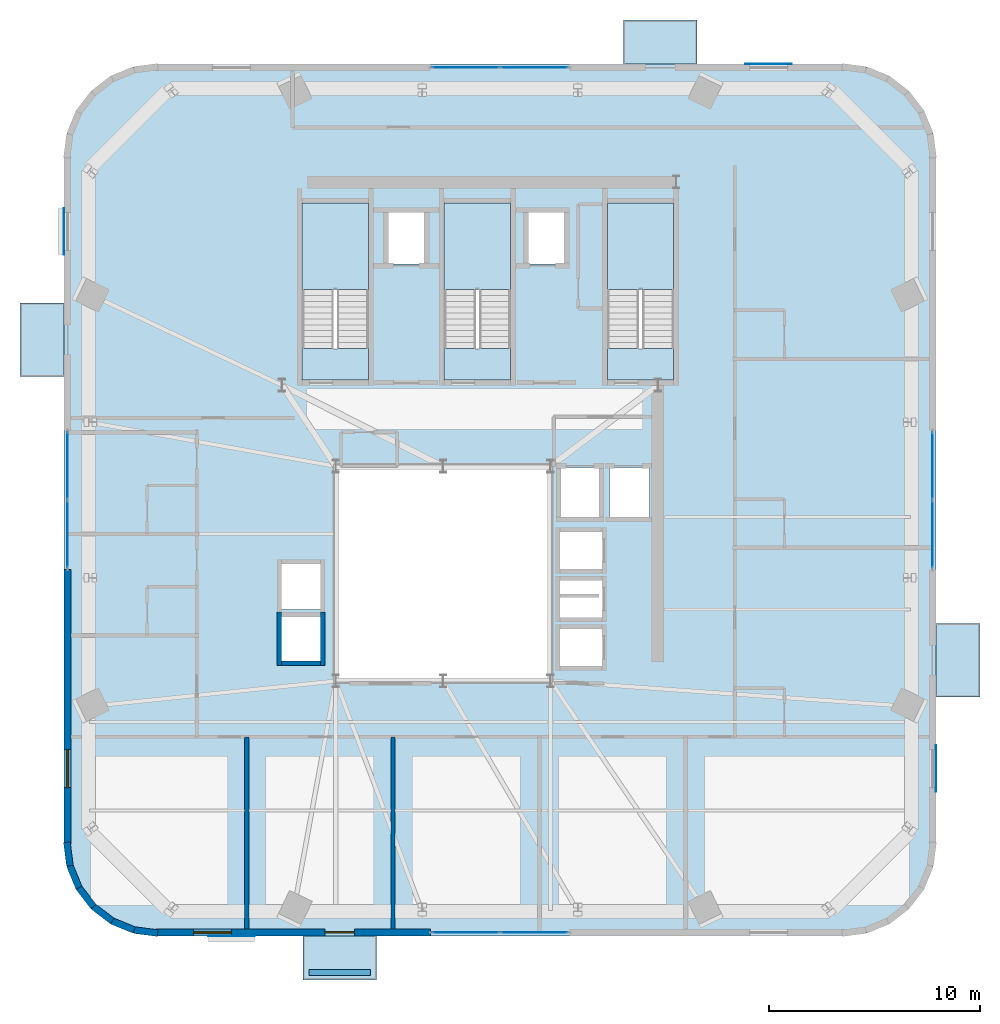
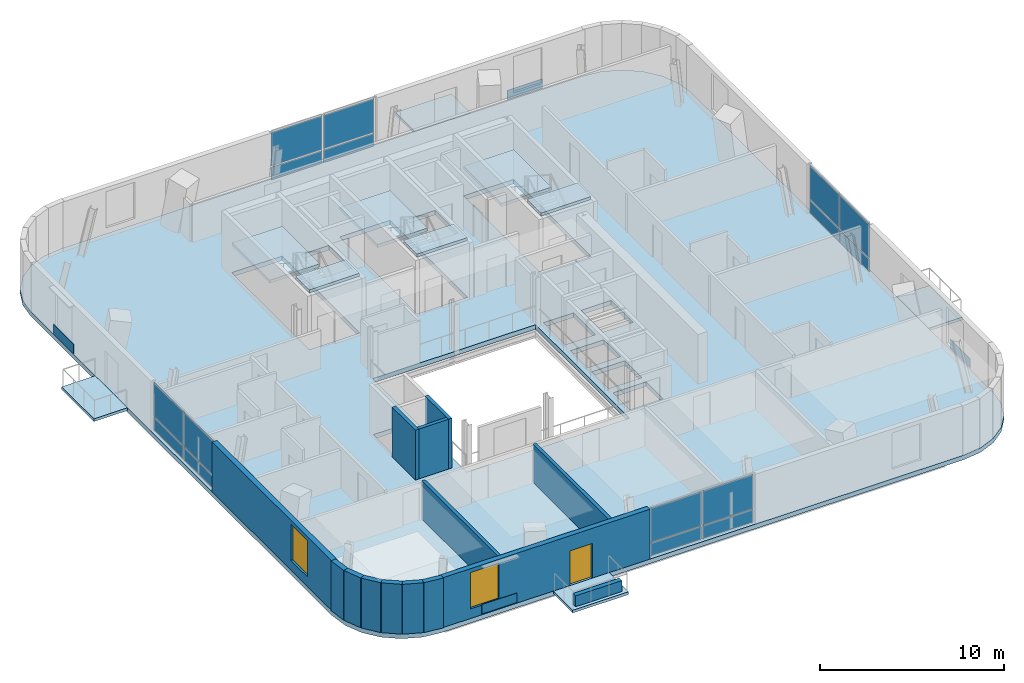
# One storey, part 5 of 13: 20 plates, 14 walls, 11 slabs, 2 windows, 1 door, 3 openings, 7 elements without a shape of their own.
"""IFC4 building model written with IfcOpenShell, lengths in metres."""

from ifc_helpers import new_model, si_unit, direction, frame, frame_2d, origin, origin_2d, place, context, subcontext, project, spatial, polyline, rectangle, outline, extrude, source, transform, mapped, material, layer, layer_set, type_object, element, fill, aggregate, save


model = new_model("IFC4")

# Units and contexts
model_context = context("Model", 3, precision=1e-05, world=origin(), true_north=direction((0.0, 1.0)))
body_context = subcontext(model_context, "Body", "Model", "MODEL_VIEW")
ifc_project = project(units=[si_unit("LENGTHUNIT", "METRE"), si_unit("AREAUNIT", "SQUARE_METRE"), si_unit("VOLUMEUNIT", "CUBIC_METRE"), si_unit("PLANEANGLEUNIT", "RADIAN"), si_unit("MASSUNIT", "GRAM", prefix="KILO")], contexts=[model_context])

# Site, building, storey
site_placement = place(None, origin())
site = spatial("IfcSite", under=ifc_project, at=site_placement, CompositionType="ELEMENT")
building_placement = place(site_placement, origin())
building = spatial("IfcBuilding", under=site, at=building_placement, Name="Vardaveli Station Tower", CompositionType="ELEMENT")
storey_placement = place(building_placement, frame((0.0, 0.0, 274.300048828125)))
storey = spatial("IfcBuildingStorey", under=building, at=storey_placement, Name="L70", CompositionType="ELEMENT", Elevation=274.300048828125)

# Stair, slabs
ifc_material_1 = material(Name="Concrete C40/50", Category="concrete")
stair_type = type_object("IfcStairType", Name="STR-CORE-1500", PredefinedType="HALF_TURN_STAIR", material=ifc_material_1)
stair_1_placement = place(storey_placement, origin())
stair_1 = element("IfcStair", 1, at=stair_1_placement, inside=storey, type_object=stair_type, Name="L70 ST-1", PredefinedType="HALF_TURN_STAIR")
ifc_layer_1 = layer(ifc_material_1, 0.199951171875, Name="Concrete C40/50")
ifc_layer_set_1 = layer_set([ifc_layer_1], Name="Concrete C40/50")
slab_type_1 = type_object("IfcSlabType", Name="SLB-LAND-200", PredefinedType="LANDING", material=ifc_layer_set_1)
slab_1_placement = place(storey_placement, frame((0.0, 0.0, 1.77490234375)))
slab_1 = element("IfcSlab", 2, at=slab_1_placement, type_object=slab_type_1, Name="ST-1 landing 1", PredefinedType="LANDING", context=body_context, shape_type="SweptSolid", body=[
    extrude(outline(polyline([(32.75, 35.199951171875), (32.75, 39.300048828125), (29.60009765625, 39.300048828125), (29.60009765625, 35.199951171875), (32.75, 35.199951171875)])), origin(), (0.0, 0.0, 1.0), 0.199951171875),
])
slab_2_placement = place(storey_placement, frame((0.0, 0.0, 3.75)))
slab_2 = element("IfcSlab", 3, at=slab_2_placement, type_object=slab_type_1, Name="ST-1 landing 2", PredefinedType="LANDING", context=body_context, shape_type="SweptSolid", body=[
    extrude(outline(polyline([(32.75, 30.89990234375), (32.75, 32.39990234375), (29.60009765625, 32.39990234375), (29.60009765625, 30.89990234375), (32.75, 30.89990234375)])), origin(), (0.0, 0.0, 1.0), 0.199951171875),
])
aggregate(stair_1, [slab_1, slab_2])

stair_2_placement = place(storey_placement, origin())
stair_2 = element("IfcStair", 4, at=stair_2_placement, inside=storey, type_object=stair_type, Name="L70 ST-2", PredefinedType="HALF_TURN_STAIR")
slab_3_placement = place(storey_placement, frame((0.0, 0.0, 1.77490234375)))
slab_3 = element("IfcSlab", 5, at=slab_3_placement, type_object=slab_type_1, Name="ST-2 landing 1", PredefinedType="LANDING", context=body_context, shape_type="SweptSolid", body=[
    extrude(outline(polyline([(39.5, 35.199951171875), (39.5, 39.300048828125), (36.35009765625, 39.300048828125), (36.35009765625, 35.199951171875), (39.5, 35.199951171875)])), origin(), (0.0, 0.0, 1.0), 0.199951171875),
])
slab_4_placement = place(storey_placement, frame((0.0, 0.0, 3.75)))
slab_4 = element("IfcSlab", 6, at=slab_4_placement, type_object=slab_type_1, Name="ST-2 landing 2", PredefinedType="LANDING", context=body_context, shape_type="SweptSolid", body=[
    extrude(outline(polyline([(39.5, 30.89990234375), (39.5, 32.39990234375), (36.35009765625, 32.39990234375), (36.35009765625, 30.89990234375), (39.5, 30.89990234375)])), origin(), (0.0, 0.0, 1.0), 0.199951171875),
])
aggregate(stair_2, [slab_3, slab_4])

stair_3_placement = place(storey_placement, origin())
stair_3 = element("IfcStair", 7, at=stair_3_placement, inside=storey, type_object=stair_type, Name="L70 ST-3", PredefinedType="HALF_TURN_STAIR")
slab_5_placement = place(storey_placement, frame((0.0, 0.0, 1.77490234375)))
slab_5 = element("IfcSlab", 8, at=slab_5_placement, type_object=slab_type_1, Name="ST-3 landing 1", PredefinedType="LANDING", context=body_context, shape_type="SweptSolid", body=[
    extrude(outline(polyline([(47.25, 35.199951171875), (47.25, 39.300048828125), (44.10009765625, 39.300048828125), (44.10009765625, 35.199951171875), (47.25, 35.199951171875)])), origin(), (0.0, 0.0, 1.0), 0.199951171875),
])
slab_6_placement = place(storey_placement, frame((0.0, 0.0, 3.75)))
slab_6 = element("IfcSlab", 9, at=slab_6_placement, type_object=slab_type_1, Name="ST-3 landing 2", PredefinedType="LANDING", context=body_context, shape_type="SweptSolid", body=[
    extrude(outline(polyline([(47.25, 30.89990234375), (47.25, 32.39990234375), (44.10009765625, 32.39990234375), (44.10009765625, 30.89990234375), (47.25, 30.89990234375)])), origin(), (0.0, 0.0, 1.0), 0.199951171875),
])
aggregate(stair_3, [slab_5, slab_6])

# Slabs
ifc_material_2 = material(Name="Precast concrete C45/55", Category="concrete")
ifc_layer_2 = layer(ifc_material_2, 0.179931640625, Name="Precast concrete C45/55")
ifc_layer_set_2 = layer_set([ifc_layer_2], Name="Precast concrete C45/55")
slab_type_2 = type_object("IfcSlabType", Name="SLB-LOGGIA-180", PredefinedType="FLOOR", material=ifc_layer_set_2)
slab_7_placement = place(storey_placement, frame((0.0, 0.0, -0.179931640625)))
element("IfcSlab", 10, at=slab_7_placement, inside=storey, type_object=slab_type_2, Name="LOG-L70-S", PredefinedType="FLOOR", context=body_context, shape_type="SweptSolid", body=[
    extrude(outline(polyline([(29.638427734375, 2.39990234375), (33.138427734375, 2.39990234375), (33.138427734375, 4.5), (29.638427734375, 4.5), (29.638427734375, 2.39990234375)])), origin(), (0.0, 0.0, 1.0), 0.179931640625),
])
slab_8_placement = place(storey_placement, frame((0.0, 0.0, -0.179931640625)))
element("IfcSlab", 11, at=slab_8_placement, inside=storey, type_object=slab_type_2, Name="LOG-L70-N", PredefinedType="FLOOR", context=body_context, shape_type="SweptSolid", body=[
    extrude(outline(polyline([(44.861572265625, 45.89990234375), (48.361572265625, 45.89990234375), (48.361572265625, 48.0), (44.861572265625, 48.0), (44.861572265625, 45.89990234375)])), origin(), (0.0, 0.0, 1.0), 0.179931640625),
])
slab_9_placement = place(storey_placement, frame((0.0, 0.0, -0.179931640625)))
element("IfcSlab", 12, at=slab_9_placement, inside=storey, type_object=slab_type_2, Name="LOG-L70-W", PredefinedType="FLOOR", context=body_context, shape_type="SweptSolid", body=[
    extrude(outline(polyline([(16.199951171875, 31.0615234375), (18.300048828125, 31.0615234375), (18.300048828125, 34.5615234375), (16.199951171875, 34.5615234375), (16.199951171875, 31.0615234375)])), origin(), (0.0, 0.0, 1.0), 0.179931640625),
])
slab_10_placement = place(storey_placement, frame((0.0, 0.0, -0.179931640625)))
element("IfcSlab", 13, at=slab_10_placement, inside=storey, type_object=slab_type_2, Name="LOG-L70-E", PredefinedType="FLOOR", context=body_context, shape_type="SweptSolid", body=[
    extrude(outline(polyline([(59.699951171875, 15.83837890625), (61.800048828125, 15.83837890625), (61.800048828125, 19.33837890625), (59.699951171875, 19.33837890625), (59.699951171875, 15.83837890625)])), origin(), (0.0, 0.0, 1.0), 0.179931640625),
])
ifc_material_3 = material(Name="Concrete C50/60", Category="concrete")
ifc_layer_3 = layer(ifc_material_3, 0.300048828125, Name="Concrete C50/60")
ifc_layer_set_3 = layer_set([ifc_layer_3], Name="Concrete C50/60")
slab_type_3 = type_object("IfcSlabType", Name="SLB-REF-300", PredefinedType="FLOOR", material=ifc_layer_set_3)
slab_11_placement = place(storey_placement, frame((0.0, 0.0, -0.300048828125)))
element("IfcSlab", 14, at=slab_11_placement, inside=storey, type_object=slab_type_3, Name="SLB-L70-MAIN", PredefinedType="FLOOR", context=body_context, shape_type="SweptSolid", body=[
    extrude(outline(polyline([(18.300048828125, 8.846923828125), (18.447998046875, 7.721923828125), (18.88232421875, 6.673583984375), (19.5732421875, 5.773193359375), (20.473388671875, 5.082275390625), (21.52197265625, 4.648193359375), (22.64697265625, 4.5), (55.35302734375, 4.5), (56.47802734375, 4.648193359375), (57.526611328125, 5.082275390625), (58.4267578125, 5.773193359375), (59.11767578125, 6.673583984375), (59.552001953125, 7.721923828125), (59.699951171875, 8.846923828125), (59.699951171875, 41.552978515625), (59.552001953125, 42.677978515625), (59.11767578125, 43.7265625), (58.4267578125, 44.626708984375), (57.526611328125, 45.317626953125), (56.47802734375, 45.751953125), (55.35302734375, 45.89990234375), (22.64697265625, 45.89990234375), (21.52197265625, 45.751953125), (20.473388671875, 45.317626953125), (19.5732421875, 44.626708984375), (18.88232421875, 43.7265625), (18.447998046875, 42.677978515625), (18.300048828125, 41.552978515625), (18.300048828125, 8.846923828125)]), holes=[polyline([(31.199951171875, 16.60009765625), (41.39990234375, 16.60009765625), (41.39990234375, 26.800048828125), (31.199951171875, 26.800048828125), (31.199951171875, 16.60009765625)]), polyline([(32.75, 30.89990234375), (32.75, 39.300048828125), (29.60009765625, 39.300048828125), (29.60009765625, 30.89990234375), (32.75, 30.89990234375)]), polyline([(39.5, 30.89990234375), (39.5, 39.300048828125), (36.35009765625, 39.300048828125), (36.35009765625, 30.89990234375), (39.5, 30.89990234375)]), polyline([(47.25, 30.89990234375), (47.25, 39.300048828125), (44.10009765625, 39.300048828125), (44.10009765625, 30.89990234375), (47.25, 30.89990234375)]), polyline([(33.659912109375, 36.409912109375), (35.43994140625, 36.409912109375), (35.43994140625, 38.889892578125), (33.659912109375, 38.889892578125), (33.659912109375, 36.409912109375)]), polyline([(40.31005859375, 36.409912109375), (42.090087890625, 36.409912109375), (42.090087890625, 38.889892578125), (40.31005859375, 38.889892578125), (40.31005859375, 36.409912109375)]), polyline([(41.81005859375, 21.885009765625), (43.889892578125, 21.885009765625), (43.889892578125, 23.715087890625), (41.81005859375, 23.715087890625), (41.81005859375, 21.885009765625)]), polyline([(41.81005859375, 19.5849609375), (43.889892578125, 19.5849609375), (43.889892578125, 21.4150390625), (41.81005859375, 21.4150390625), (41.81005859375, 19.5849609375)]), polyline([(41.81005859375, 17.284912109375), (43.889892578125, 17.284912109375), (43.889892578125, 19.114990234375), (41.81005859375, 19.114990234375), (41.81005859375, 17.284912109375)]), polyline([(28.5849609375, 17.510009765625), (30.514892578125, 17.510009765625), (30.514892578125, 19.68994140625), (28.5849609375, 19.68994140625), (28.5849609375, 17.510009765625)]), polyline([(28.5849609375, 20.010009765625), (30.514892578125, 20.010009765625), (30.514892578125, 22.18994140625), (28.5849609375, 22.18994140625), (28.5849609375, 20.010009765625)]), polyline([(41.860107421875, 24.360107421875), (43.739990234375, 24.360107421875), (43.739990234375, 26.739990234375), (41.860107421875, 26.739990234375), (41.860107421875, 24.360107421875)]), polyline([(44.2099609375, 24.360107421875), (46.090087890625, 24.360107421875), (46.090087890625, 26.739990234375), (44.2099609375, 26.739990234375), (44.2099609375, 24.360107421875)])]), origin(), (0.0, 0.0, 1.0), 0.300048828125),
])

# Plates
ifc_material_4 = material(Name="Honed Caucasian travertine stone", Category="masonry")
ifc_layer_4 = layer(ifc_material_4, 0.034912109375, Name="Honed Caucasian travertine stone")
ifc_layer_set_4 = layer_set([ifc_layer_4], Name="Honed Caucasian travertine stone")
plate_type_1 = type_object("IfcPlateType", Name="PLT-TRAV-35", PredefinedType="SHEET", material=ifc_layer_set_4)
shared_shape_1 = source(origin(), body_context, "Body", "SweptSolid", [
    extrude(rectangle(XDim=2.199951171875, YDim=0.034912109375, at=origin_2d()), origin(), (0.0, 0.0, 1.0), 0.6201171875),
])
for number, where, z_axis, x_axis, name in (
    (15, (26.24267578125, 4.490478515625, 0.06982421875), (0.0, 0.0, 1.0), (1.0, 0.0, 0.0), "PLT-TR-L70-S"),
    (16, (51.75732421875, 45.909423828125, 0.06982421875), (0.0, 0.0, 1.0), (1.0, 0.0, 0.0), "PLT-TR-L70-N"),
    (17, (18.29052734375, 37.95751953125, 0.06982421875), (0.0, 0.0, 1.0), (0.0, 1.0, 0.0), "PLT-TR-L70-W"),
    (18, (59.70947265625, 12.442626953125, 0.06982421875), (0.0, 0.0, 1.0), (0.0, 1.0, 0.0), "PLT-TR-L70-E"),
):
    element("IfcPlate", number, at=place(storey_placement, frame(where, z_axis=z_axis, x_axis=x_axis)), inside=storey, type_object=plate_type_1, Name=name, PredefinedType="SHEET", context=body_context, shape_type="MappedRepresentation", body=[
        mapped(shared_shape_1, transform((0.0, 0.0, 0.0), scale=1.0)),
    ])

# Curtain wall, plates
ifc_material_5 = material(Name="Travertine stone and solar-control glass", Category="masonry")
curtain_wall_type = type_object("IfcCurtainWallType", Name="CW-SYS-5", PredefinedType="NOTDEFINED", material=ifc_material_5)
curtain_wall_1_placement = place(storey_placement, origin())
curtain_wall_1 = element("IfcCurtainWall", 19, at=curtain_wall_1_placement, inside=storey, type_object=curtain_wall_type, Name="CW-L70-S", PredefinedType="NOTDEFINED")
ifc_material_6 = material(Name="Double-glazed low-E solar-control glass", Category="glass")
ifc_layer_5 = layer(ifc_material_6, 0.031982421875, Name="Double-glazed low-E solar-control glass")
ifc_layer_set_5 = layer_set([ifc_layer_5], Name="Double-glazed low-E solar-control glass")
plate_type_2 = type_object("IfcPlateType", Name="CW-SYS-5-PAN", PredefinedType="CURTAIN_PANEL", material=ifc_layer_set_5)
shared_shape_2 = source(origin(), body_context, "Body", "SweptSolid", [
    extrude(rectangle(XDim=3.179931640625, YDim=0.031982421875, at=origin_2d()), origin(), (0.0, 0.0, 1.0), 0.830078125),
])
plate_1_placement = place(storey_placement, frame((37.3701171875, 4.659912109375, 0.079833984375), z_axis=(0.0, 0.0, 1.0), x_axis=(1.0, 0.0, 0.0)))
plate_1 = element("IfcPlate", 20, at=plate_1_placement, type_object=plate_type_2, Name="CW-5 panel 1.1", PredefinedType="CURTAIN_PANEL", context=body_context, shape_type="MappedRepresentation", body=[
    mapped(shared_shape_2, transform((0.0, 0.0, 0.0), scale=1.0)),
])
plate_2_placement = place(storey_placement, frame((40.6298828125, 4.659912109375, 0.079833984375), z_axis=(0.0, 0.0, 1.0), x_axis=(1.0, 0.0, 0.0)))
plate_2 = element("IfcPlate", 21, at=plate_2_placement, type_object=plate_type_2, Name="CW-5 panel 2.1", PredefinedType="CURTAIN_PANEL", context=body_context, shape_type="MappedRepresentation", body=[
    mapped(shared_shape_2, transform((0.0, 0.0, 0.0), scale=1.0)),
])

curtain_wall_2_placement = place(storey_placement, origin())
curtain_wall_2 = element("IfcCurtainWall", 22, at=curtain_wall_2_placement, inside=storey, type_object=curtain_wall_type, Name="CW-L70-N", PredefinedType="NOTDEFINED")
plate_3_placement = place(storey_placement, frame((40.6298828125, 45.739990234375, 0.079833984375), z_axis=(0.0, 0.0, 1.0), x_axis=(-1.0, 0.0, 0.0)))
plate_3 = element("IfcPlate", 23, at=plate_3_placement, type_object=plate_type_2, Name="CW-5 panel 1.1", PredefinedType="CURTAIN_PANEL", context=body_context, shape_type="MappedRepresentation", body=[
    mapped(shared_shape_2, transform((0.0, 0.0, 0.0), scale=1.0)),
])
plate_4_placement = place(storey_placement, frame((37.3701171875, 45.739990234375, 0.079833984375), z_axis=(0.0, 0.0, 1.0), x_axis=(-1.0, 0.0, 0.0)))
plate_4 = element("IfcPlate", 24, at=plate_4_placement, type_object=plate_type_2, Name="CW-5 panel 2.1", PredefinedType="CURTAIN_PANEL", context=body_context, shape_type="MappedRepresentation", body=[
    mapped(shared_shape_2, transform((0.0, 0.0, 0.0), scale=1.0)),
])

curtain_wall_3_placement = place(storey_placement, origin())
curtain_wall_3 = element("IfcCurtainWall", 25, at=curtain_wall_3_placement, inside=storey, type_object=curtain_wall_type, Name="CW-L70-W", PredefinedType="NOTDEFINED")
plate_5_placement = place(storey_placement, frame((18.4599609375, 26.830078125, 0.079833984375), z_axis=(0.0, 0.0, 1.0), x_axis=(0.0, -1.0, 0.0)))
plate_5 = element("IfcPlate", 26, at=plate_5_placement, type_object=plate_type_2, Name="CW-5 panel 1.1", PredefinedType="CURTAIN_PANEL", context=body_context, shape_type="MappedRepresentation", body=[
    mapped(shared_shape_2, transform((0.0, 0.0, 0.0), scale=1.0)),
])
plate_6_placement = place(storey_placement, frame((18.4599609375, 23.570068359375, 0.079833984375), z_axis=(0.0, 0.0, 1.0), x_axis=(0.0, -1.0, 0.0)))
plate_6 = element("IfcPlate", 27, at=plate_6_placement, type_object=plate_type_2, Name="CW-5 panel 2.1", PredefinedType="CURTAIN_PANEL", context=body_context, shape_type="MappedRepresentation", body=[
    mapped(shared_shape_2, transform((0.0, 0.0, 0.0), scale=1.0)),
])

curtain_wall_4_placement = place(storey_placement, origin())
curtain_wall_4 = element("IfcCurtainWall", 28, at=curtain_wall_4_placement, inside=storey, type_object=curtain_wall_type, Name="CW-L70-E", PredefinedType="NOTDEFINED")
plate_7_placement = place(storey_placement, frame((59.5400390625, 23.570068359375, 0.079833984375), z_axis=(0.0, 0.0, 1.0), x_axis=(0.0, 1.0, 0.0)))
plate_7 = element("IfcPlate", 29, at=plate_7_placement, type_object=plate_type_2, Name="CW-5 panel 1.1", PredefinedType="CURTAIN_PANEL", context=body_context, shape_type="MappedRepresentation", body=[
    mapped(shared_shape_2, transform((0.0, 0.0, 0.0), scale=1.0)),
])
plate_8_placement = place(storey_placement, frame((59.5400390625, 26.830078125, 0.079833984375), z_axis=(0.0, 0.0, 1.0), x_axis=(0.0, 1.0, 0.0)))
plate_8 = element("IfcPlate", 30, at=plate_8_placement, type_object=plate_type_2, Name="CW-5 panel 2.1", PredefinedType="CURTAIN_PANEL", context=body_context, shape_type="MappedRepresentation", body=[
    mapped(shared_shape_2, transform((0.0, 0.0, 0.0), scale=1.0)),
])

# Plate
shared_shape_3 = source(origin(), body_context, "Body", "SweptSolid", [
    extrude(rectangle(XDim=3.179931640625, YDim=0.031982421875, at=origin_2d()), origin(), (0.0, 0.0, 1.0), 2.22998046875),
])
plate_9_placement = place(storey_placement, frame((37.3701171875, 4.659912109375, 0.989990234375), z_axis=(0.0, 0.0, 1.0), x_axis=(1.0, 0.0, 0.0)))
plate_9 = element("IfcPlate", 31, at=plate_9_placement, type_object=plate_type_2, Name="CW-5 panel 1.2", PredefinedType="CURTAIN_PANEL", context=body_context, shape_type="MappedRepresentation", body=[
    mapped(shared_shape_3, transform((0.0, 0.0, 0.0), scale=1.0)),
])

plate_10_placement = place(storey_placement, frame((40.6298828125, 4.659912109375, 0.989990234375), z_axis=(0.0, 0.0, 1.0), x_axis=(1.0, 0.0, 0.0)))
plate_10 = element("IfcPlate", 32, at=plate_10_placement, type_object=plate_type_2, Name="CW-5 panel 2.2", PredefinedType="CURTAIN_PANEL", context=body_context, shape_type="MappedRepresentation", body=[
    mapped(shared_shape_3, transform((0.0, 0.0, 0.0), scale=1.0)),
])

aggregate(curtain_wall_1, [plate_1, plate_9, plate_2, plate_10])

plate_11_placement = place(storey_placement, frame((40.6298828125, 45.739990234375, 0.989990234375), z_axis=(0.0, 0.0, 1.0), x_axis=(-1.0, 0.0, 0.0)))
plate_11 = element("IfcPlate", 33, at=plate_11_placement, type_object=plate_type_2, Name="CW-5 panel 1.2", PredefinedType="CURTAIN_PANEL", context=body_context, shape_type="MappedRepresentation", body=[
    mapped(shared_shape_3, transform((0.0, 0.0, 0.0), scale=1.0)),
])

plate_12_placement = place(storey_placement, frame((37.3701171875, 45.739990234375, 0.989990234375), z_axis=(0.0, 0.0, 1.0), x_axis=(-1.0, 0.0, 0.0)))
plate_12 = element("IfcPlate", 34, at=plate_12_placement, type_object=plate_type_2, Name="CW-5 panel 2.2", PredefinedType="CURTAIN_PANEL", context=body_context, shape_type="MappedRepresentation", body=[
    mapped(shared_shape_3, transform((0.0, 0.0, 0.0), scale=1.0)),
])

aggregate(curtain_wall_2, [plate_3, plate_11, plate_4, plate_12])

plate_13_placement = place(storey_placement, frame((18.4599609375, 26.830078125, 0.989990234375), z_axis=(0.0, 0.0, 1.0), x_axis=(0.0, -1.0, 0.0)))
plate_13 = element("IfcPlate", 35, at=plate_13_placement, type_object=plate_type_2, Name="CW-5 panel 1.2", PredefinedType="CURTAIN_PANEL", context=body_context, shape_type="MappedRepresentation", body=[
    mapped(shared_shape_3, transform((0.0, 0.0, 0.0), scale=1.0)),
])

plate_14_placement = place(storey_placement, frame((18.4599609375, 23.570068359375, 0.989990234375), z_axis=(0.0, 0.0, 1.0), x_axis=(0.0, -1.0, 0.0)))
plate_14 = element("IfcPlate", 36, at=plate_14_placement, type_object=plate_type_2, Name="CW-5 panel 2.2", PredefinedType="CURTAIN_PANEL", context=body_context, shape_type="MappedRepresentation", body=[
    mapped(shared_shape_3, transform((0.0, 0.0, 0.0), scale=1.0)),
])

aggregate(curtain_wall_3, [plate_5, plate_13, plate_6, plate_14])

plate_15_placement = place(storey_placement, frame((59.5400390625, 23.570068359375, 0.989990234375), z_axis=(0.0, 0.0, 1.0), x_axis=(0.0, 1.0, 0.0)))
plate_15 = element("IfcPlate", 37, at=plate_15_placement, type_object=plate_type_2, Name="CW-5 panel 1.2", PredefinedType="CURTAIN_PANEL", context=body_context, shape_type="MappedRepresentation", body=[
    mapped(shared_shape_3, transform((0.0, 0.0, 0.0), scale=1.0)),
])

plate_16_placement = place(storey_placement, frame((59.5400390625, 26.830078125, 0.989990234375), z_axis=(0.0, 0.0, 1.0), x_axis=(0.0, 1.0, 0.0)))
plate_16 = element("IfcPlate", 38, at=plate_16_placement, type_object=plate_type_2, Name="CW-5 panel 2.2", PredefinedType="CURTAIN_PANEL", context=body_context, shape_type="MappedRepresentation", body=[
    mapped(shared_shape_3, transform((0.0, 0.0, 0.0), scale=1.0)),
])

aggregate(curtain_wall_4, [plate_7, plate_15, plate_8, plate_16])

# Wall
ifc_layer_6 = layer(ifc_material_2, 0.280029296875, Name="Precast concrete C45/55")
ifc_layer_set_6 = layer_set([ifc_layer_6], Name="Precast concrete C45/55")
wall_type_1 = type_object("IfcWallType", Name="WAL-PARAPET-280", PredefinedType="SOLIDWALL", material=ifc_layer_set_6)
shared_shape_4 = source(origin(), body_context, "Body", "SweptSolid", [
    extrude(rectangle(XDim=2.89990234375, YDim=0.280029296875, at=frame_2d((1.449951171875, 0.0))), origin(), (0.0, 0.0, 1.0), 0.719970703125),
])
wall_1_placement = place(storey_placement, frame((29.9384765625, 2.75, 0.0), z_axis=(0.0, 0.0, 1.0), x_axis=(1.0, 0.0, 0.0)))
element("IfcWall", 39, at=wall_1_placement, inside=storey, type_object=wall_type_1, Name="Terrace Travertine Planter L70", PredefinedType="SOLIDWALL", context=body_context, shape_type="MappedRepresentation", body=[
    mapped(shared_shape_4, transform((0.0, 0.0, 0.0), scale=1.0)),
])

# Wall, openings, door, window
ifc_layer_7 = layer(ifc_material_2, 0.320068359375, Name="Precast concrete C45/55")
ifc_layer_set_7 = layer_set([ifc_layer_7], Name="Precast concrete C45/55")
wall_type_2 = type_object("IfcWallType", Name="WAL-EXT-STONE-320", PredefinedType="SOLIDWALL", material=ifc_layer_set_7)
shared_shape_5 = source(origin(), body_context, "Body", "SweptSolid", [
    extrude(rectangle(XDim=13.052978515625, YDim=0.320068359375, at=frame_2d((6.5263671875, 0.0))), origin(), (0.0, 0.0, 1.0), 3.300048828125),
])
wall_2_placement = place(storey_placement, frame((22.64697265625, 4.659912109375, 0.0), z_axis=(0.0, 0.0, 1.0), x_axis=(1.0, 0.0, 0.0)))
wall_2 = element("IfcWall", 40, at=wall_2_placement, inside=storey, type_object=wall_type_2, Name="EW-L70-S1", PredefinedType="SOLIDWALL", context=body_context, shape_type="MappedRepresentation", body=[
    mapped(shared_shape_5, transform((0.0, 0.0, 0.0), scale=1.0)),
])
shared_shape_6 = source(origin(), body_context, "Body", "SweptSolid", [
    extrude(rectangle(XDim=1.39990234375, YDim=2.300048828125, at=frame_2d((0.699951171875, 1.14990234375))), frame((0.0, 0.169921875, 0.0), z_axis=(0.0, -1.0, 0.0), x_axis=(1.0, 0.0, 0.0)), (0.0, 0.0, 1.0), 0.340087890625),
])
opening_1_placement = place(wall_2_placement, frame((8.04150390625, 0.0, 0.0)))
opening_1 = element("IfcOpeningElement", 41, at=opening_1_placement, cuts=wall_2, Name="Opening D-09", PredefinedType="OPENING", context=body_context, shape_type="MappedRepresentation", body=[
    mapped(shared_shape_6, transform((0.0, 0.0, 0.0), scale=1.0)),
])
shared_shape_7 = source(origin(), body_context, "Body", "SweptSolid", [
    extrude(rectangle(XDim=1.800048828125, YDim=2.39990234375, at=frame_2d((0.89990234375, 1.199951171875))), frame((0.0, 0.169921875, 0.0), z_axis=(0.0, -1.0, 0.0), x_axis=(1.0, 0.0, 0.0)), (0.0, 0.0, 1.0), 0.340087890625),
])
opening_2_placement = place(wall_2_placement, frame((1.795654296875, 0.0, 0.639892578125)))
opening_2 = element("IfcOpeningElement", 42, at=opening_2_placement, cuts=wall_2, Name="Opening W-05", PredefinedType="OPENING", context=body_context, shape_type="MappedRepresentation", body=[
    mapped(shared_shape_7, transform((0.0, 0.0, 0.0), scale=1.0)),
])
ifc_material_7 = material(Name="Thermally broken aluminium glass", Category="aluminium")
door_type = type_object("IfcDoorType", Name="DR-LOG-1400x2300", OperationType="DOUBLE_DOOR_SLIDING", PredefinedType="DOOR", material=ifc_material_7)
shared_shape_8 = source(origin(), body_context, "Body", "SweptSolid", [
    extrude(rectangle(XDim=1.39990234375, YDim=2.300048828125, at=frame_2d((0.699951171875, 1.14990234375))), frame((0.0, 0.02490234375, 0.0), z_axis=(0.0, -1.0, 0.0), x_axis=(1.0, 0.0, 0.0)), (0.0, 0.0, 1.0), 0.050048828125),
])
door_placement = place(opening_1_placement, frame((1.39990234375, 0.0, 0.0), z_axis=(0.0, 0.0, 1.0), x_axis=(-1.0, 0.0, 0.0)))
door = element("IfcDoor", 43, at=door_placement, inside=storey, type_object=door_type, Name="DLG-L70-S", OperationType="DOUBLE_DOOR_SLIDING", OverallHeight=2.300048828125, OverallWidth=1.39990234375, PredefinedType="DOOR", context=body_context, shape_type="MappedRepresentation", body=[
    mapped(shared_shape_8, transform((0.0, 0.0, 0.0), scale=1.0)),
])
fill(opening_1, door)
ifc_material_8 = material(Name="Low-E solar-control glass", Category="glass")
window_type = type_object("IfcWindowType", Name="WIN-HIGH-1800x2400", PartitioningType="SINGLE_PANEL", PredefinedType="WINDOW", material=ifc_material_8)
shared_shape_9 = source(origin(), body_context, "Body", "SweptSolid", [
    extrude(rectangle(XDim=1.800048828125, YDim=2.39990234375, at=frame_2d((0.89990234375, 1.199951171875))), frame((0.0, 0.030029296875, 0.0), z_axis=(0.0, -1.0, 0.0), x_axis=(1.0, 0.0, 0.0)), (0.0, 0.0, 1.0), 0.06005859375),
])
window_1_placement = place(opening_2_placement, origin())
window_1 = element("IfcWindow", 44, at=window_1_placement, inside=storey, type_object=window_type, Name="WN-L70-S1", OverallHeight=2.39990234375, OverallWidth=1.800048828125, PartitioningType="SINGLE_PANEL", PredefinedType="WINDOW", context=body_context, shape_type="MappedRepresentation", body=[
    mapped(shared_shape_9, transform((0.0, 0.0, 0.0), scale=1.0)),
])
fill(opening_2, window_1)

# Wall, opening, window
wall_3_placement = place(storey_placement, frame((18.4599609375, 21.89990234375, 0.0), z_axis=(0.0, 0.0, 1.0), x_axis=(0.0, -1.0, 0.0)))
wall_3 = element("IfcWall", 45, at=wall_3_placement, inside=storey, type_object=wall_type_2, Name="EW-L70-W2", PredefinedType="SOLIDWALL", context=body_context, shape_type="MappedRepresentation", body=[
    mapped(shared_shape_5, transform((0.0, 0.0, 0.0), scale=1.0)),
])
opening_3_placement = place(wall_3_placement, frame((8.557373046875, 0.0, 0.639892578125)))
opening_3 = element("IfcOpeningElement", 46, at=opening_3_placement, cuts=wall_3, Name="Opening W-05", PredefinedType="OPENING", context=body_context, shape_type="MappedRepresentation", body=[
    mapped(shared_shape_7, transform((0.0, 0.0, 0.0), scale=1.0)),
])
window_2_placement = place(opening_3_placement, origin())
window_2 = element("IfcWindow", 47, at=window_2_placement, inside=storey, type_object=window_type, Name="WN-L70-W2", OverallHeight=2.39990234375, OverallWidth=1.800048828125, PartitioningType="SINGLE_PANEL", PredefinedType="WINDOW", context=body_context, shape_type="MappedRepresentation", body=[
    mapped(shared_shape_9, transform((0.0, 0.0, 0.0), scale=1.0)),
])
fill(opening_3, window_2)

# Walls
shared_shape_10 = source(origin(), body_context, "Body", "SweptSolid", [
    extrude(rectangle(XDim=1.1298828125, YDim=0.320068359375, at=frame_2d((0.56494140625, 0.0))), origin(), (0.0, 0.0, 1.0), 3.300048828125),
])
for number, where, z_axis, x_axis, name in (
    (48, (18.425537109375, 8.9462890625, 0.0), (0.0, 0.0, 1.0), (0.12791648929, -0.991784942297, 0.0), "EW-L70-CR1-1"),
    (49, (21.62548828125, 4.77001953125, 0.0), (0.0, 0.0, 1.0), (0.991784942297, -0.12791648929, 0.0), "EW-L70-CR1-6"),
):
    element("IfcWall", number, at=place(storey_placement, frame(where, z_axis=z_axis, x_axis=x_axis)), inside=storey, type_object=wall_type_2, Name=name, PredefinedType="SOLIDWALL", context=body_context, shape_type="MappedRepresentation", body=[
        mapped(shared_shape_10, transform((0.0, 0.0, 0.0), scale=1.0)),
    ])
shared_shape_11 = source(origin(), body_context, "Body", "SweptSolid", [
    extrude(rectangle(XDim=1.128662109375, YDim=0.320068359375, at=frame_2d((0.564453125, 0.0))), origin(), (0.0, 0.0, 1.0), 3.300048828125),
])
wall_4_placement = place(storey_placement, frame((18.570068359375, 7.82568359375, 0.0), z_axis=(0.0, 0.0, 1.0), x_axis=(0.380880341178, -0.924624337612, 0.0)))
element("IfcWall", 50, at=wall_4_placement, inside=storey, type_object=wall_type_2, Name="EW-L70-CR1-2", PredefinedType="SOLIDWALL", context=body_context, shape_type="MappedRepresentation", body=[
    mapped(shared_shape_11, transform((0.0, 0.0, 0.0), scale=1.0)),
])
shared_shape_12 = source(origin(), body_context, "Body", "SweptSolid", [
    extrude(rectangle(XDim=1.12841796875, YDim=0.320068359375, at=frame_2d((0.564208984375, 0.0))), origin(), (0.0, 0.0, 1.0), 3.300048828125),
])
wall_5_placement = place(storey_placement, frame((19.0, 6.781982421875, 0.0), z_axis=(0.0, 0.0, 1.0), x_axis=(0.608172612566, -0.793804808076, 0.0)))
element("IfcWall", 51, at=wall_5_placement, inside=storey, type_object=wall_type_2, Name="EW-L70-CR1-3", PredefinedType="SOLIDWALL", context=body_context, shape_type="MappedRepresentation", body=[
    mapped(shared_shape_12, transform((0.0, 0.0, 0.0), scale=1.0)),
])
shared_shape_13 = source(origin(), body_context, "Body", "SweptSolid", [
    extrude(rectangle(XDim=1.128173828125, YDim=0.320068359375, at=frame_2d((0.56396484375, 0.0))), origin(), (0.0, 0.0, 1.0), 3.300048828125),
])
wall_6_placement = place(storey_placement, frame((19.686279296875, 5.88623046875, 0.0), z_axis=(0.0, 0.0, 1.0), x_axis=(0.793829240499, -0.60814072132, 0.0)))
element("IfcWall", 52, at=wall_6_placement, inside=storey, type_object=wall_type_2, Name="EW-L70-CR1-4", PredefinedType="SOLIDWALL", context=body_context, shape_type="MappedRepresentation", body=[
    mapped(shared_shape_13, transform((0.0, 0.0, 0.0), scale=1.0)),
])
shared_shape_14 = source(origin(), body_context, "Body", "SweptSolid", [
    extrude(rectangle(XDim=1.12890625, YDim=0.320068359375, at=frame_2d((0.564453125, 0.0))), origin(), (0.0, 0.0, 1.0), 3.300048828125),
])
wall_7_placement = place(storey_placement, frame((20.581787109375, 5.2001953125, 0.0), z_axis=(0.0, 0.0, 1.0), x_axis=(0.924548155555, -0.381065228091, 0.0)))
element("IfcWall", 53, at=wall_7_placement, inside=storey, type_object=wall_type_2, Name="EW-L70-CR1-5", PredefinedType="SOLIDWALL", context=body_context, shape_type="MappedRepresentation", body=[
    mapped(shared_shape_14, transform((0.0, 0.0, 0.0), scale=1.0)),
])
ifc_layer_8 = layer(ifc_material_1, 0.219970703125, Name="Concrete C40/50")
ifc_layer_set_8 = layer_set([ifc_layer_8], Name="Concrete C40/50")
wall_type_3 = type_object("IfcWallType", Name="WAL-FFLOBBY-220", PredefinedType="SOLIDWALL", material=ifc_layer_set_8)
shared_shape_15 = source(origin(), body_context, "Body", "SweptSolid", [
    extrude(rectangle(XDim=1.85009765625, YDim=0.219970703125, at=frame_2d((0.925048828125, 0.0))), origin(), (0.0, 0.0, 1.0), 3.300048828125),
])
wall_8_placement = place(storey_placement, frame((28.625, 17.43994140625, 0.0), z_axis=(0.0, 0.0, 1.0), x_axis=(1.0, 0.0, 0.0)))
element("IfcWall", 54, at=wall_8_placement, inside=storey, type_object=wall_type_3, Name="SHW-OBS-01-L70-S", PredefinedType="SOLIDWALL", context=body_context, shape_type="MappedRepresentation", body=[
    mapped(shared_shape_15, transform((0.0, 0.0, 0.0), scale=1.0)),
])
shared_shape_16 = source(origin(), body_context, "Body", "SweptSolid", [
    extrude(rectangle(XDim=2.5400390625, YDim=0.219970703125, at=frame_2d((1.27001953125, 0.0))), origin(), (0.0, 0.0, 1.0), 3.300048828125),
])
for number, where, z_axis, x_axis, name in (
    (55, (28.514892578125, 17.330078125, 0.0), (0.0, 0.0, 1.0), (0.0, 1.0, 0.0), "SHW-OBS-01-L70-W"),
    (56, (30.5849609375, 17.330078125, 0.0), (0.0, 0.0, 1.0), (0.0, 1.0, 0.0), "SHW-OBS-01-L70-E"),
):
    element("IfcWall", number, at=place(storey_placement, frame(where, z_axis=z_axis, x_axis=x_axis)), inside=storey, type_object=wall_type_3, Name=name, PredefinedType="SOLIDWALL", context=body_context, shape_type="MappedRepresentation", body=[
        mapped(shared_shape_16, transform((0.0, 0.0, 0.0), scale=1.0)),
    ])
ifc_material_9 = material(Name="Acoustic twin-stud gypsum partition")
ifc_layer_9 = layer(ifc_material_9, 0.199951171875, Name="Acoustic twin-stud gypsum partition")
ifc_layer_set_9 = layer_set([ifc_layer_9], Name="Acoustic twin-stud gypsum partition")
wall_type_4 = type_object("IfcWallType", Name="WAL-PARTY-200", PredefinedType="PARTITIONING", material=ifc_layer_set_9)
shared_shape_17 = source(origin(), body_context, "Body", "SweptSolid", [
    extrude(rectangle(XDim=9.1279296875, YDim=0.199951171875, at=frame_2d((4.56396484375, 0.0))), origin(), (0.0, 0.0, 1.0), 2.5419921875),
])
for number, where, z_axis, x_axis, name in (
    (57, (26.969970703125, 4.822021484375, 0.0), (0.0, 0.0, 1.0), (0.0, 1.0, 0.0), "W-L70-PS1"),
    (58, (33.919921875, 4.822021484375, 0.0), (0.0, 0.0, 1.0), (0.0, 1.0, 0.0), "W-L70-PS2"),
):
    element("IfcWall", number, at=place(storey_placement, frame(where, z_axis=z_axis, x_axis=x_axis)), inside=storey, type_object=wall_type_4, Name=name, PredefinedType="PARTITIONING", context=body_context, shape_type="MappedRepresentation", body=[
        mapped(shared_shape_17, transform((0.0, 0.0, 0.0), scale=1.0)),
    ])

save(model, "model.ifc")
